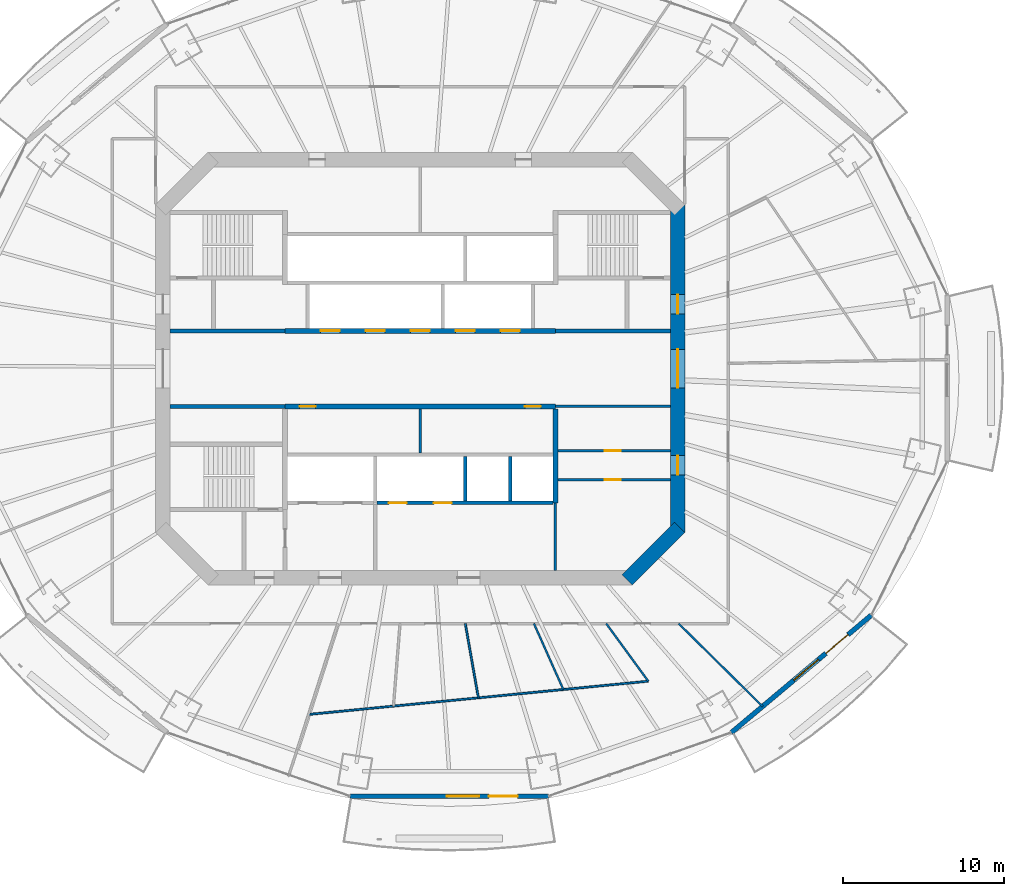
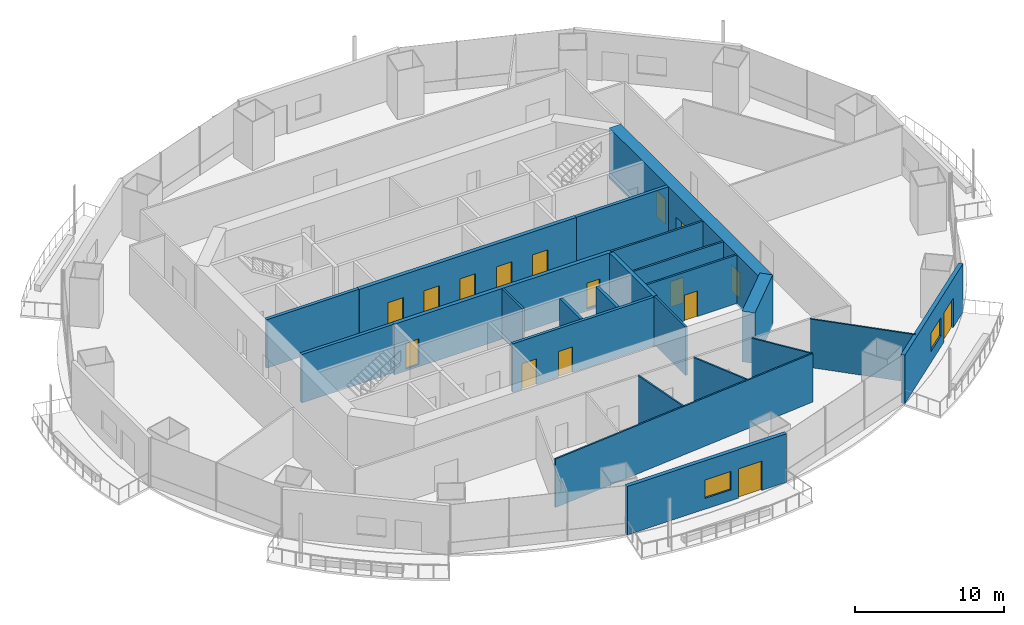
# One storey, part 13 of 21: 23 walls, 16 doors, 2 windows, 18 openings.
"""IFC4 building model written with IfcOpenShell, lengths in metres."""

from ifc_helpers import new_model, si_unit, direction, frame, frame_2d, origin, place, context, subcontext, project, spatial, rectangle, extrude, material, layer, layer_set, type_object, element, fill, save


model = new_model("IFC4")

# Units and contexts
model_context = context("Model", 3, precision=1e-05, world=origin(), true_north=direction((0.0, 1.0)))
body_context = subcontext(model_context, "Body", "Model", "MODEL_VIEW")
ifc_project = project(units=[si_unit("LENGTHUNIT", "METRE"), si_unit("AREAUNIT", "SQUARE_METRE"), si_unit("VOLUMEUNIT", "CUBIC_METRE"), si_unit("PLANEANGLEUNIT", "RADIAN"), si_unit("MASSUNIT", "GRAM", prefix="KILO")], contexts=[model_context])

# Site, building, storey
site_placement = place(None, origin())
site = spatial("IfcSite", under=ifc_project, at=site_placement, CompositionType="ELEMENT")
building_placement = place(site_placement, origin())
building = spatial("IfcBuilding", under=site, at=building_placement, Name="Marenthal Gate Tower", CompositionType="ELEMENT")
storey_placement = place(building_placement, frame((0.0, 0.0, 198.39990234375)))
storey = spatial("IfcBuildingStorey", under=building, at=storey_placement, Name="L43", CompositionType="ELEMENT", Elevation=198.39990234375)

# Wall
ifc_material_1 = material(Name="Concrete 60 MPa", Category="concrete")
ifc_layer_1 = layer(ifc_material_1, 0.89990234375)
ifc_layer_set_1 = layer_set([ifc_layer_1], Name="Core shear wall 900")
wall_type_1 = type_object("IfcWallType", Name="Core shear wall 900", PredefinedType="SHEAR", material=ifc_layer_set_1)
wall_1_placement = place(storey_placement, frame((12.8681640625, -13.1318359375, -0.179931640625), z_axis=(0.0, 0.0, 1.0), x_axis=(0.707106781187, 0.707106781187, 0.0)))
element("IfcWall", 1, at=wall_1_placement, inside=storey, type_object=wall_type_1, Name="Core wall 01", PredefinedType="SHEAR", context=body_context, shape_type="SweptSolid", body=[
    extrude(rectangle(XDim=4.615478515625, YDim=0.89990234375, at=frame_2d((2.3076171875, 0.0))), origin(), (0.0, 0.0, 1.0), 4.150146484375),
])

# Wall, openings, doors
wall_2_placement = place(storey_placement, frame((16.0, -10.186279296875, -0.179931640625), z_axis=(0.0, 0.0, 1.0), x_axis=(0.0, 1.0, 0.0)))
wall_2 = element("IfcWall", 2, at=wall_2_placement, inside=storey, type_object=wall_type_1, Name="Core wall 02", PredefinedType="SHEAR", context=body_context, shape_type="SweptSolid", body=[
    extrude(rectangle(XDim=20.37255859375, YDim=0.89990234375, at=frame_2d((10.186279296875, 0.0))), origin(), (0.0, 0.0, 1.0), 4.150146484375),
])
opening_1_placement = place(wall_2_placement, frame((8.986328125, 0.0, 0.179931640625)))
opening_1 = element("IfcOpeningElement", 3, at=opening_1_placement, cuts=wall_2, Name="Opening D003.02", PredefinedType="OPENING", context=body_context, shape_type="SweptSolid", body=[
    extrude(rectangle(XDim=2.39990234375, YDim=2.10009765625, at=frame_2d((1.199951171875, 1.050048828125))), frame((0.0, 0.4599609375, 0.0), z_axis=(0.0, -1.0, 0.0), x_axis=(1.0, 0.0, 0.0)), (0.0, 0.0, 1.0), 0.919921875),
])
opening_2_placement = place(wall_2_placement, frame((13.58642578125, 0.0, 0.179931640625)))
opening_2 = element("IfcOpeningElement", 4, at=opening_2_placement, cuts=wall_2, Name="Opening D001.05", PredefinedType="OPENING", context=body_context, shape_type="SweptSolid", body=[
    extrude(rectangle(XDim=1.199951171875, YDim=2.10009765625, at=frame_2d((0.60009765625, 1.050048828125))), frame((0.0, 0.4599609375, 0.0), z_axis=(0.0, -1.0, 0.0), x_axis=(1.0, 0.0, 0.0)), (0.0, 0.0, 1.0), 0.919921875),
])
opening_3_placement = place(wall_2_placement, frame((3.58642578125, 0.0, 0.179931640625)))
opening_3 = element("IfcOpeningElement", 5, at=opening_3_placement, cuts=wall_2, Name="Opening D006.01", PredefinedType="OPENING", context=body_context, shape_type="SweptSolid", body=[
    extrude(rectangle(XDim=1.199951171875, YDim=2.10009765625, at=frame_2d((0.60009765625, 1.050048828125))), frame((0.0, 0.4599609375, 0.0), z_axis=(0.0, -1.0, 0.0), x_axis=(1.0, 0.0, 0.0)), (0.0, 0.0, 1.0), 0.919921875),
])
ifc_material_2 = material(Name="Steel fire door", Category="steel")
door_type_1 = type_object("IfcDoorType", Name="Double fire door FD 45 2400 x 2100", OperationType="DOUBLE_DOOR_SINGLE_SWING", PredefinedType="DOOR", material=ifc_material_2)
door_1_placement = place(opening_1_placement, origin())
door_1 = element("IfcDoor", 6, at=door_1_placement, inside=storey, type_object=door_type_1, Name="Door D003.02", OperationType="DOUBLE_DOOR_SINGLE_SWING", OverallHeight=2.10009765625, OverallWidth=2.39990234375, PredefinedType="DOOR", context=body_context, shape_type="SweptSolid", body=[
    extrude(rectangle(XDim=2.39990234375, YDim=2.10009765625, at=frame_2d((1.199951171875, 1.050048828125))), frame((0.0, 0.02490234375, 0.0), z_axis=(0.0, -1.0, 0.0), x_axis=(1.0, 0.0, 0.0)), (0.0, 0.0, 1.0), 0.050048828125),
])
fill(opening_1, door_1)
ifc_material_3 = material(Name="Steel fire door", Category="steel")
door_type_2 = type_object("IfcDoorType", Name="Fire door FD 45 1200 x 2100", OperationType="NOTDEFINED", PredefinedType="DOOR", material=ifc_material_3)
door_2_placement = place(opening_3_placement, origin())
door_2 = element("IfcDoor", 7, at=door_2_placement, inside=storey, type_object=door_type_2, Name="Door D006.01", OperationType="SINGLE_SWING_RIGHT", OverallHeight=2.10009765625, OverallWidth=1.199951171875, PredefinedType="DOOR", context=body_context, shape_type="SweptSolid", body=[
    extrude(rectangle(XDim=1.199951171875, YDim=2.10009765625, at=frame_2d((0.60009765625, 1.050048828125))), frame((0.0, 0.02490234375, 0.0), z_axis=(0.0, -1.0, 0.0), x_axis=(1.0, 0.0, 0.0)), (0.0, 0.0, 1.0), 0.050048828125),
])
fill(opening_3, door_2)
ifc_material_4 = material(Name="Steel fire door", Category="steel")
door_type_3 = type_object("IfcDoorType", Name="Fire door FD 90 1200 x 2100", OperationType="NOTDEFINED", PredefinedType="DOOR", material=ifc_material_4)
door_3_placement = place(opening_2_placement, origin())
door_3 = element("IfcDoor", 8, at=door_3_placement, inside=storey, type_object=door_type_3, Name="Door D001.05", OperationType="SINGLE_SWING_RIGHT", OverallHeight=2.10009765625, OverallWidth=1.199951171875, PredefinedType="DOOR", context=body_context, shape_type="SweptSolid", body=[
    extrude(rectangle(XDim=1.199951171875, YDim=2.10009765625, at=frame_2d((0.60009765625, 1.050048828125))), frame((0.0, 0.02490234375, 0.0), z_axis=(0.0, -1.0, 0.0), x_axis=(1.0, 0.0, 0.0)), (0.0, 0.0, 1.0), 0.050048828125),
])
fill(opening_2, door_3)

ifc_material_5 = material(Name="Concrete 50 MPa", Category="concrete")
ifc_layer_2 = layer(ifc_material_5, 0.300048828125)
ifc_layer_set_2 = layer_set([ifc_layer_2], Name="Hoistway shear wall 300")
wall_type_2 = type_object("IfcWallType", Name="Hoistway shear wall 300", PredefinedType="SHEAR", material=ifc_layer_set_2)
wall_3_placement = place(storey_placement, frame((-8.39990234375, -2.35009765625, -0.179931640625), z_axis=(0.0, 0.0, 1.0), x_axis=(1.0, 0.0, 0.0)))
wall_3 = element("IfcWall", 9, at=wall_3_placement, inside=storey, type_object=wall_type_2, Name="Hoistway wall 17", PredefinedType="SHEAR", context=body_context, shape_type="SweptSolid", body=[
    extrude(rectangle(XDim=16.7998046875, YDim=0.300048828125, at=frame_2d((8.39990234375, 0.0))), origin(), (0.0, 0.0, 1.0), 4.150146484375),
])
opening_4_placement = place(wall_3_placement, frame((0.89990234375, 0.0, 0.179931640625)))
opening_4 = element("IfcOpeningElement", 10, at=opening_4_placement, cuts=wall_3, Name="Opening D005.01", PredefinedType="OPENING", context=body_context, shape_type="SweptSolid", body=[
    extrude(rectangle(XDim=1.0, YDim=2.10009765625, at=frame_2d((0.5, 1.050048828125))), frame((0.0, 0.16015625, 0.0), z_axis=(0.0, -1.0, 0.0), x_axis=(1.0, 0.0, 0.0)), (0.0, 0.0, 1.0), 0.320068359375),
])
opening_5_placement = place(wall_3_placement, frame((14.89990234375, 0.0, 0.179931640625)))
opening_5 = element("IfcOpeningElement", 11, at=opening_5_placement, cuts=wall_3, Name="Opening D005.02", PredefinedType="OPENING", context=body_context, shape_type="SweptSolid", body=[
    extrude(rectangle(XDim=1.0, YDim=2.10009765625, at=frame_2d((0.5, 1.050048828125))), frame((0.0, 0.16015625, 0.0), z_axis=(0.0, -1.0, 0.0), x_axis=(1.0, 0.0, 0.0)), (0.0, 0.0, 1.0), 0.320068359375),
])
ifc_material_6 = material(Name="Steel fire door", Category="steel")
door_type_4 = type_object("IfcDoorType", Name="Fire door FD 45 1000 x 2100", OperationType="NOTDEFINED", PredefinedType="DOOR", material=ifc_material_6)
door_4_placement = place(opening_4_placement, frame((1.0, 0.0, 0.0), z_axis=(0.0, 0.0, 1.0), x_axis=(-1.0, 0.0, 0.0)))
door_4 = element("IfcDoor", 12, at=door_4_placement, inside=storey, type_object=door_type_4, Name="Door D005.01", OperationType="SINGLE_SWING_LEFT", OverallHeight=2.10009765625, OverallWidth=1.0, PredefinedType="DOOR", context=body_context, shape_type="SweptSolid", body=[
    extrude(rectangle(XDim=1.0, YDim=2.10009765625, at=frame_2d((0.5, 1.050048828125))), frame((0.0, 0.02490234375, 0.0), z_axis=(0.0, -1.0, 0.0), x_axis=(1.0, 0.0, 0.0)), (0.0, 0.0, 1.0), 0.050048828125),
])
fill(opening_4, door_4)
door_5_placement = place(opening_5_placement, frame((1.0, 0.0, 0.0), z_axis=(0.0, 0.0, 1.0), x_axis=(-1.0, 0.0, 0.0)))
door_5 = element("IfcDoor", 13, at=door_5_placement, inside=storey, type_object=door_type_4, Name="Door D005.02", OperationType="SINGLE_SWING_LEFT", OverallHeight=2.10009765625, OverallWidth=1.0, PredefinedType="DOOR", context=body_context, shape_type="SweptSolid", body=[
    extrude(rectangle(XDim=1.0, YDim=2.10009765625, at=frame_2d((0.5, 1.050048828125))), frame((0.0, 0.02490234375, 0.0), z_axis=(0.0, -1.0, 0.0), x_axis=(1.0, 0.0, 0.0)), (0.0, 0.0, 1.0), 0.050048828125),
])
fill(opening_5, door_5)

wall_4_placement = place(storey_placement, frame((-8.39990234375, 2.35009765625, -0.179931640625), z_axis=(0.0, 0.0, 1.0), x_axis=(1.0, 0.0, 0.0)))
wall_4 = element("IfcWall", 14, at=wall_4_placement, inside=storey, type_object=wall_type_2, Name="Hoistway wall 20", PredefinedType="SHEAR", context=body_context, shape_type="SweptSolid", body=[
    extrude(rectangle(XDim=16.7998046875, YDim=0.300048828125, at=frame_2d((8.39990234375, 0.0))), origin(), (0.0, 0.0, 1.0), 4.150146484375),
])
opening_6_placement = place(wall_4_placement, frame((2.199951171875, 0.0, 0.179931640625)))
opening_6 = element("IfcOpeningElement", 15, at=opening_6_placement, cuts=wall_4, Name="Opening LD-MP1", PredefinedType="OPENING", context=body_context, shape_type="SweptSolid", body=[
    extrude(rectangle(XDim=1.199951171875, YDim=2.10009765625, at=frame_2d((0.60009765625, 1.050048828125))), frame((0.0, 0.16015625, 0.0), z_axis=(0.0, -1.0, 0.0), x_axis=(1.0, 0.0, 0.0)), (0.0, 0.0, 1.0), 0.320068359375),
])
opening_7_placement = place(wall_4_placement, frame((5.0, 0.0, 0.179931640625)))
opening_7 = element("IfcOpeningElement", 16, at=opening_7_placement, cuts=wall_4, Name="Opening LD-MP2", PredefinedType="OPENING", context=body_context, shape_type="SweptSolid", body=[
    extrude(rectangle(XDim=1.199951171875, YDim=2.10009765625, at=frame_2d((0.60009765625, 1.050048828125))), frame((0.0, 0.16015625, 0.0), z_axis=(0.0, -1.0, 0.0), x_axis=(1.0, 0.0, 0.0)), (0.0, 0.0, 1.0), 0.320068359375),
])
opening_8_placement = place(wall_4_placement, frame((7.800048828125, 0.0, 0.179931640625)))
opening_8 = element("IfcOpeningElement", 17, at=opening_8_placement, cuts=wall_4, Name="Opening LD-MP3", PredefinedType="OPENING", context=body_context, shape_type="SweptSolid", body=[
    extrude(rectangle(XDim=1.199951171875, YDim=2.10009765625, at=frame_2d((0.60009765625, 1.050048828125))), frame((0.0, 0.16015625, 0.0), z_axis=(0.0, -1.0, 0.0), x_axis=(1.0, 0.0, 0.0)), (0.0, 0.0, 1.0), 0.320068359375),
])
opening_9_placement = place(wall_4_placement, frame((10.60009765625, 0.0, 0.179931640625)))
opening_9 = element("IfcOpeningElement", 18, at=opening_9_placement, cuts=wall_4, Name="Opening LD-MP4", PredefinedType="OPENING", context=body_context, shape_type="SweptSolid", body=[
    extrude(rectangle(XDim=1.199951171875, YDim=2.10009765625, at=frame_2d((0.60009765625, 1.050048828125))), frame((0.0, 0.16015625, 0.0), z_axis=(0.0, -1.0, 0.0), x_axis=(1.0, 0.0, 0.0)), (0.0, 0.0, 1.0), 0.320068359375),
])
opening_10_placement = place(wall_4_placement, frame((13.39990234375, 0.0, 0.179931640625)))
opening_10 = element("IfcOpeningElement", 19, at=opening_10_placement, cuts=wall_4, Name="Opening LD-MP5", PredefinedType="OPENING", context=body_context, shape_type="SweptSolid", body=[
    extrude(rectangle(XDim=1.199951171875, YDim=2.10009765625, at=frame_2d((0.60009765625, 1.050048828125))), frame((0.0, 0.16015625, 0.0), z_axis=(0.0, -1.0, 0.0), x_axis=(1.0, 0.0, 0.0)), (0.0, 0.0, 1.0), 0.320068359375),
])
ifc_material_7 = material(Name="Stainless steel sliding door", Category="steel")
door_type_5 = type_object("IfcDoorType", Name="Lift landing door FD 90 1200 x 2100", OperationType="DOUBLE_DOOR_SLIDING", PredefinedType="DOOR", material=ifc_material_7)
door_6_placement = place(opening_6_placement, origin())
door_6 = element("IfcDoor", 20, at=door_6_placement, inside=storey, type_object=door_type_5, Name="Lift landing door MP1", OperationType="DOUBLE_DOOR_SLIDING", OverallHeight=2.10009765625, OverallWidth=1.199951171875, PredefinedType="DOOR", context=body_context, shape_type="SweptSolid", body=[
    extrude(rectangle(XDim=1.199951171875, YDim=2.10009765625, at=frame_2d((0.60009765625, 1.050048828125))), frame((0.0, 0.02490234375, 0.0), z_axis=(0.0, -1.0, 0.0), x_axis=(1.0, 0.0, 0.0)), (0.0, 0.0, 1.0), 0.050048828125),
])
fill(opening_6, door_6)
door_7_placement = place(opening_7_placement, origin())
door_7 = element("IfcDoor", 21, at=door_7_placement, inside=storey, type_object=door_type_5, Name="Lift landing door MP2", OperationType="DOUBLE_DOOR_SLIDING", OverallHeight=2.10009765625, OverallWidth=1.199951171875, PredefinedType="DOOR", context=body_context, shape_type="SweptSolid", body=[
    extrude(rectangle(XDim=1.199951171875, YDim=2.10009765625, at=frame_2d((0.60009765625, 1.050048828125))), frame((0.0, 0.02490234375, 0.0), z_axis=(0.0, -1.0, 0.0), x_axis=(1.0, 0.0, 0.0)), (0.0, 0.0, 1.0), 0.050048828125),
])
fill(opening_7, door_7)
door_8_placement = place(opening_8_placement, origin())
door_8 = element("IfcDoor", 22, at=door_8_placement, inside=storey, type_object=door_type_5, Name="Lift landing door MP3", OperationType="DOUBLE_DOOR_SLIDING", OverallHeight=2.10009765625, OverallWidth=1.199951171875, PredefinedType="DOOR", context=body_context, shape_type="SweptSolid", body=[
    extrude(rectangle(XDim=1.199951171875, YDim=2.10009765625, at=frame_2d((0.60009765625, 1.050048828125))), frame((0.0, 0.02490234375, 0.0), z_axis=(0.0, -1.0, 0.0), x_axis=(1.0, 0.0, 0.0)), (0.0, 0.0, 1.0), 0.050048828125),
])
fill(opening_8, door_8)
door_9_placement = place(opening_9_placement, origin())
door_9 = element("IfcDoor", 23, at=door_9_placement, inside=storey, type_object=door_type_5, Name="Lift landing door MP4", OperationType="DOUBLE_DOOR_SLIDING", OverallHeight=2.10009765625, OverallWidth=1.199951171875, PredefinedType="DOOR", context=body_context, shape_type="SweptSolid", body=[
    extrude(rectangle(XDim=1.199951171875, YDim=2.10009765625, at=frame_2d((0.60009765625, 1.050048828125))), frame((0.0, 0.02490234375, 0.0), z_axis=(0.0, -1.0, 0.0), x_axis=(1.0, 0.0, 0.0)), (0.0, 0.0, 1.0), 0.050048828125),
])
fill(opening_9, door_9)
door_10_placement = place(opening_10_placement, origin())
door_10 = element("IfcDoor", 24, at=door_10_placement, inside=storey, type_object=door_type_5, Name="Lift landing door MP5", OperationType="DOUBLE_DOOR_SLIDING", OverallHeight=2.10009765625, OverallWidth=1.199951171875, PredefinedType="DOOR", context=body_context, shape_type="SweptSolid", body=[
    extrude(rectangle(XDim=1.199951171875, YDim=2.10009765625, at=frame_2d((0.60009765625, 1.050048828125))), frame((0.0, 0.02490234375, 0.0), z_axis=(0.0, -1.0, 0.0), x_axis=(1.0, 0.0, 0.0)), (0.0, 0.0, 1.0), 0.050048828125),
])
fill(opening_10, door_10)

# Wall
wall_5_placement = place(storey_placement, frame((8.39990234375, -8.35009765625, -0.179931640625), z_axis=(0.0, 0.0, 1.0), x_axis=(0.0, 1.0, 0.0)))
element("IfcWall", 25, at=wall_5_placement, inside=storey, type_object=wall_type_2, Name="Hoistway wall 45", PredefinedType="SHEAR", context=body_context, shape_type="SweptSolid", body=[
    extrude(rectangle(XDim=5.85009765625, YDim=0.300048828125, at=frame_2d((2.925048828125, 0.0))), origin(), (0.0, 0.0, 1.0), 4.150146484375),
])

# Wall, openings, doors
ifc_material_8 = material(Name="Concrete 40 MPa", Category="concrete")
ifc_layer_3 = layer(ifc_material_8, 0.219970703125)
ifc_layer_set_3 = layer_set([ifc_layer_3], Name="Hoistway wall 220")
wall_type_3 = type_object("IfcWallType", Name="Hoistway wall 220", PredefinedType="STANDARD", material=ifc_layer_set_3)
wall_6_placement = place(storey_placement, frame((-2.68994140625, -8.35009765625, 0.0), z_axis=(0.0, 0.0, 1.0), x_axis=(1.0, 0.0, 0.0)))
wall_6 = element("IfcWall", 26, at=wall_6_placement, inside=storey, type_object=wall_type_3, Name="Hoistway wall 11", PredefinedType="STANDARD", context=body_context, shape_type="SweptSolid", body=[
    extrude(rectangle(XDim=10.93994140625, YDim=0.219970703125, at=frame_2d((5.469970703125, 0.0))), origin(), (0.0, 0.0, 1.0), 3.97021484375),
])
opening_11_placement = place(wall_6_placement, frame((0.739990234375, 0.0, 0.0)))
opening_11 = element("IfcOpeningElement", 27, at=opening_11_placement, cuts=wall_6, Name="Opening LD-SV1", PredefinedType="OPENING", context=body_context, shape_type="SweptSolid", body=[
    extrude(rectangle(XDim=1.10009765625, YDim=2.10009765625, at=frame_2d((0.550048828125, 1.050048828125))), frame((0.0, 0.1201171875, 0.0), z_axis=(0.0, -1.0, 0.0), x_axis=(1.0, 0.0, 0.0)), (0.0, 0.0, 1.0), 0.239990234375),
])
opening_12_placement = place(wall_6_placement, frame((3.5400390625, 0.0, 0.0)))
opening_12 = element("IfcOpeningElement", 28, at=opening_12_placement, cuts=wall_6, Name="Opening LD-SV2", PredefinedType="OPENING", context=body_context, shape_type="SweptSolid", body=[
    extrude(rectangle(XDim=1.10009765625, YDim=2.10009765625, at=frame_2d((0.550048828125, 1.050048828125))), frame((0.0, 0.1201171875, 0.0), z_axis=(0.0, -1.0, 0.0), x_axis=(1.0, 0.0, 0.0)), (0.0, 0.0, 1.0), 0.239990234375),
])
ifc_material_9 = material(Name="Stainless steel sliding door", Category="steel")
door_type_6 = type_object("IfcDoorType", Name="Lift landing door FD 90 1100 x 2100", OperationType="DOUBLE_DOOR_SLIDING", PredefinedType="DOOR", material=ifc_material_9)
door_11_placement = place(opening_11_placement, origin())
door_11 = element("IfcDoor", 29, at=door_11_placement, inside=storey, type_object=door_type_6, Name="Lift landing door SV1", OperationType="DOUBLE_DOOR_SLIDING", OverallHeight=2.10009765625, OverallWidth=1.10009765625, PredefinedType="DOOR", context=body_context, shape_type="SweptSolid", body=[
    extrude(rectangle(XDim=1.10009765625, YDim=2.10009765625, at=frame_2d((0.550048828125, 1.050048828125))), frame((0.0, 0.02490234375, 0.0), z_axis=(0.0, -1.0, 0.0), x_axis=(1.0, 0.0, 0.0)), (0.0, 0.0, 1.0), 0.050048828125),
])
fill(opening_11, door_11)
door_12_placement = place(opening_12_placement, origin())
door_12 = element("IfcDoor", 30, at=door_12_placement, inside=storey, type_object=door_type_6, Name="Lift landing door SV2", OperationType="DOUBLE_DOOR_SLIDING", OverallHeight=2.10009765625, OverallWidth=1.10009765625, PredefinedType="DOOR", context=body_context, shape_type="SweptSolid", body=[
    extrude(rectangle(XDim=1.10009765625, YDim=2.10009765625, at=frame_2d((0.550048828125, 1.050048828125))), frame((0.0, 0.02490234375, 0.0), z_axis=(0.0, -1.0, 0.0), x_axis=(1.0, 0.0, 0.0)), (0.0, 0.0, 1.0), 0.050048828125),
])
fill(opening_12, door_12)

# Walls
for number, where, z_axis, x_axis, name in (
    (31, (2.800048828125, -8.239990234375, 0.0), (0.0, 0.0, 1.0), (0.0, 1.0, 0.0), "Hoistway wall 40"),
    (32, (5.60009765625, -8.239990234375, 0.0), (0.0, 0.0, 1.0), (0.0, 1.0, 0.0), "Hoistway wall 42"),
):
    element("IfcWall", number, at=place(storey_placement, frame(where, z_axis=z_axis, x_axis=x_axis)), inside=storey, type_object=wall_type_3, Name=name, PredefinedType="STANDARD", context=body_context, shape_type="SweptSolid", body=[
        extrude(rectangle(XDim=2.780029296875, YDim=0.219970703125, at=frame_2d((1.39013671875, 0.0))), origin(), (0.0, 0.0, 1.0), 3.97021484375),
    ])
ifc_material_10 = material(Name="Gypsum board on steel studs", Category="steel")
ifc_layer_4 = layer(ifc_material_10, 0.1201171875)
ifc_layer_set_4 = layer_set([ifc_layer_4], Name="Partition 120")
wall_type_4 = type_object("IfcWallType", Name="Partition 120", PredefinedType="PARTITIONING", material=ifc_layer_set_4)
wall_7_placement = place(storey_placement, frame((-6.946044921875, -21.498291015625, 0.0), z_axis=(0.0, 0.0, 1.0), x_axis=(0.995245004441, 0.097403188531, 0.0)))
element("IfcWall", 33, at=wall_7_placement, inside=storey, type_object=wall_type_4, Name="Partition wall 54", PredefinedType="PARTITIONING", context=body_context, shape_type="SweptSolid", body=[
    extrude(rectangle(XDim=21.222412109375, YDim=0.1201171875, at=frame_2d((10.611328125, 0.0))), origin(), (0.0, 0.0, 1.0), 3.97021484375),
])
wall_8_placement = place(storey_placement, frame((3.61474609375, -20.464599609375, 0.0), z_axis=(0.0, 0.0, 1.0), x_axis=(-0.173913137247, 0.984760996736, 0.0)))
element("IfcWall", 34, at=wall_8_placement, inside=storey, type_object=wall_type_4, Name="Partition wall 57", PredefinedType="PARTITIONING", context=body_context, shape_type="SweptSolid", body=[
    extrude(rectangle(XDim=4.685791015625, YDim=0.1201171875, at=frame_2d((2.3427734375, 0.0))), origin(), (0.0, 0.0, 1.0), 3.97021484375),
])
wall_9_placement = place(storey_placement, frame((8.89501953125, -19.947998046875, 0.0), z_axis=(0.0, 0.0, 1.0), x_axis=(-0.407228685497, 0.913326227428, 0.0)))
element("IfcWall", 35, at=wall_9_placement, inside=storey, type_object=wall_type_4, Name="Partition wall 58", PredefinedType="PARTITIONING", context=body_context, shape_type="SweptSolid", body=[
    extrude(rectangle(XDim=4.48681640625, YDim=0.1201171875, at=frame_2d((2.243408203125, 0.0))), origin(), (0.0, 0.0, 1.0), 3.97021484375),
])
wall_10_placement = place(storey_placement, frame((14.175537109375, -19.43115234375, 0.0), z_axis=(0.0, 0.0, 1.0), x_axis=(-0.589372905267, 0.807861113396, 0.0)))
element("IfcWall", 36, at=wall_10_placement, inside=storey, type_object=wall_type_4, Name="Partition wall 60", PredefinedType="PARTITIONING", context=body_context, shape_type="SweptSolid", body=[
    extrude(rectangle(XDim=4.432861328125, YDim=0.1201171875, at=frame_2d((2.21630859375, 0.0))), origin(), (0.0, 0.0, 1.0), 3.97021484375),
])
wall_11_placement = place(storey_placement, frame((16.063720703125, -15.85009765625, 0.0), z_axis=(0.0, 0.0, 1.0), x_axis=(0.71183576694, -0.702345955284, 0.0)))
element("IfcWall", 37, at=wall_11_placement, inside=storey, type_object=wall_type_4, Name="Partition wall 61", PredefinedType="PARTITIONING", context=body_context, shape_type="SweptSolid", body=[
    extrude(rectangle(XDim=7.33203125, YDim=0.1201171875, at=frame_2d((3.666015625, 0.0))), origin(), (0.0, 0.0, 1.0), 3.97021484375),
])

# Wall, opening, door
ifc_material_11 = material(Name="Gypsum board on steel studs", Category="steel")
ifc_layer_5 = layer(ifc_material_11, 0.14990234375)
ifc_layer_set_5 = layer_set([ifc_layer_5], Name="Partition 150")
wall_type_5 = type_object("IfcWallType", Name="Partition 150", PredefinedType="PARTITIONING", material=ifc_layer_set_5)
wall_12_placement = place(storey_placement, frame((8.550048828125, -6.89990234375, 0.0), z_axis=(0.0, 0.0, 1.0), x_axis=(1.0, 0.0, 0.0)))
wall_12 = element("IfcWall", 38, at=wall_12_placement, inside=storey, type_object=wall_type_5, Name="Partition wall 12", PredefinedType="PARTITIONING", context=body_context, shape_type="SweptSolid", body=[
    extrude(rectangle(XDim=7.0, YDim=0.14990234375, at=frame_2d((3.5, 0.0))), origin(), (0.0, 0.0, 1.0), 3.97021484375),
])
opening_13_placement = place(wall_12_placement, frame((2.925048828125, 0.0, 0.0)))
opening_13 = element("IfcOpeningElement", 39, at=opening_13_placement, cuts=wall_12, Name="Opening D005.06", PredefinedType="OPENING", context=body_context, shape_type="SweptSolid", body=[
    extrude(rectangle(XDim=1.0, YDim=2.10009765625, at=frame_2d((0.5, 1.050048828125))), frame((0.0, 0.0849609375, 0.0), z_axis=(0.0, -1.0, 0.0), x_axis=(1.0, 0.0, 0.0)), (0.0, 0.0, 1.0), 0.169921875),
])
door_13_placement = place(opening_13_placement, frame((1.0, 0.0, 0.0), z_axis=(0.0, 0.0, 1.0), x_axis=(-1.0, 0.0, 0.0)))
door_13 = element("IfcDoor", 40, at=door_13_placement, inside=storey, type_object=door_type_4, Name="Door D005.06", OperationType="SINGLE_SWING_LEFT", OverallHeight=2.10009765625, OverallWidth=1.0, PredefinedType="DOOR", context=body_context, shape_type="SweptSolid", body=[
    extrude(rectangle(XDim=1.0, YDim=2.10009765625, at=frame_2d((0.5, 1.050048828125))), frame((0.0, 0.02490234375, 0.0), z_axis=(0.0, -1.0, 0.0), x_axis=(1.0, 0.0, 0.0)), (0.0, 0.0, 1.0), 0.050048828125),
])
fill(opening_13, door_13)

wall_13_placement = place(storey_placement, frame((8.550048828125, -5.10009765625, 0.0), z_axis=(0.0, 0.0, 1.0), x_axis=(1.0, 0.0, 0.0)))
wall_13 = element("IfcWall", 41, at=wall_13_placement, inside=storey, type_object=wall_type_5, Name="Partition wall 14", PredefinedType="PARTITIONING", context=body_context, shape_type="SweptSolid", body=[
    extrude(rectangle(XDim=7.0, YDim=0.14990234375, at=frame_2d((3.5, 0.0))), origin(), (0.0, 0.0, 1.0), 3.97021484375),
])
opening_14_placement = place(wall_13_placement, frame((2.925048828125, 0.0, 0.0)))
opening_14 = element("IfcOpeningElement", 42, at=opening_14_placement, cuts=wall_13, Name="Opening D005.05", PredefinedType="OPENING", context=body_context, shape_type="SweptSolid", body=[
    extrude(rectangle(XDim=1.0, YDim=2.10009765625, at=frame_2d((0.5, 1.050048828125))), frame((0.0, 0.0849609375, 0.0), z_axis=(0.0, -1.0, 0.0), x_axis=(1.0, 0.0, 0.0)), (0.0, 0.0, 1.0), 0.169921875),
])
door_14_placement = place(opening_14_placement, origin())
door_14 = element("IfcDoor", 43, at=door_14_placement, inside=storey, type_object=door_type_4, Name="Door D005.05", OperationType="SINGLE_SWING_RIGHT", OverallHeight=2.10009765625, OverallWidth=1.0, PredefinedType="DOOR", context=body_context, shape_type="SweptSolid", body=[
    extrude(rectangle(XDim=1.0, YDim=2.10009765625, at=frame_2d((0.5, 1.050048828125))), frame((0.0, 0.02490234375, 0.0), z_axis=(0.0, -1.0, 0.0), x_axis=(1.0, 0.0, 0.0)), (0.0, 0.0, 1.0), 0.050048828125),
])
fill(opening_14, door_14)

# Walls
wall_14_placement = place(storey_placement, frame((8.39990234375, -2.35009765625, 0.0), z_axis=(0.0, 0.0, 1.0), x_axis=(1.0, 0.0, 0.0)))
element("IfcWall", 44, at=wall_14_placement, inside=storey, type_object=wall_type_5, Name="Partition wall 18", PredefinedType="PARTITIONING", context=body_context, shape_type="SweptSolid", body=[
    extrude(rectangle(XDim=7.150146484375, YDim=0.14990234375, at=frame_2d((3.5751953125, 0.0))), origin(), (0.0, 0.0, 1.0), 3.97021484375),
])
wall_15_placement = place(storey_placement, frame((0.0, -5.239990234375, 0.0), z_axis=(0.0, 0.0, 1.0), x_axis=(0.0, 1.0, 0.0)))
element("IfcWall", 45, at=wall_15_placement, inside=storey, type_object=wall_type_5, Name="Partition wall 37", PredefinedType="PARTITIONING", context=body_context, shape_type="SweptSolid", body=[
    extrude(rectangle(XDim=2.739990234375, YDim=0.14990234375, at=frame_2d((1.3701171875, 0.0))), origin(), (0.0, 0.0, 1.0), 3.97021484375),
])
wall_16_placement = place(storey_placement, frame((8.39990234375, -12.550048828125, 0.0), z_axis=(0.0, 0.0, 1.0), x_axis=(0.0, 1.0, 0.0)))
element("IfcWall", 46, at=wall_16_placement, inside=storey, type_object=wall_type_5, Name="Partition wall 44", PredefinedType="PARTITIONING", context=body_context, shape_type="SweptSolid", body=[
    extrude(rectangle(XDim=4.199951171875, YDim=0.14990234375, at=frame_2d((2.10009765625, 0.0))), origin(), (0.0, 0.0, 1.0), 3.97021484375),
])
ifc_material_12 = material(Name="Concrete 40 MPa", Category="concrete")
ifc_layer_6 = layer(ifc_material_12, 0.25)
ifc_layer_set_6 = layer_set([ifc_layer_6], Name="Stair enclosure wall 250")
wall_type_6 = type_object("IfcWallType", Name="Stair enclosure wall 250", PredefinedType="STANDARD", material=ifc_layer_set_6)
for number, where, z_axis, x_axis, name in (
    (47, (-15.550048828125, -2.35009765625, 0.0), (0.0, 0.0, 1.0), (1.0, 0.0, 0.0), "Stair wall 16"),
    (48, (-15.550048828125, 2.35009765625, 0.0), (0.0, 0.0, 1.0), (1.0, 0.0, 0.0), "Stair wall 19"),
    (49, (8.39990234375, 2.35009765625, 0.0), (0.0, 0.0, 1.0), (1.0, 0.0, 0.0), "Stair wall 21"),
):
    element("IfcWall", number, at=place(storey_placement, frame(where, z_axis=z_axis, x_axis=x_axis)), inside=storey, type_object=wall_type_6, Name=name, PredefinedType="STANDARD", context=body_context, shape_type="SweptSolid", body=[
        extrude(rectangle(XDim=7.150146484375, YDim=0.25, at=frame_2d((3.5751953125, 0.0))), origin(), (0.0, 0.0, 1.0), 3.97021484375),
    ])

# Wall, openings, door, window
ifc_material_13 = material(Name="Terracotta cladding on insulated concrete-block backing", Category="masonry")
ifc_layer_7 = layer(ifc_material_13, 0.300048828125)
ifc_layer_set_7 = layer_set([ifc_layer_7], Name="Terracotta facade wall 300")
wall_type_7 = type_object("IfcWallType", Name="Terracotta facade wall 300", PredefinedType="SOLIDWALL", material=ifc_layer_set_7)
wall_17_placement = place(storey_placement, frame((-4.359375, -26.5859375, 0.0), z_axis=(0.0, 0.0, 1.0), x_axis=(1.0, 0.0, 0.0)))
wall_17 = element("IfcWall", 50, at=wall_17_placement, inside=storey, type_object=wall_type_7, Name="Terracotta facade wall L43 bay 12", PredefinedType="SOLIDWALL", context=body_context, shape_type="SweptSolid", body=[
    extrude(rectangle(XDim=12.31884765625, YDim=0.300048828125, at=frame_2d((6.159423828125, 0.0))), origin(), (0.0, 0.0, 1.0), 3.97021484375),
])
opening_15_placement = place(wall_17_placement, frame((8.618896484375, 0.0, 0.0)))
opening_15 = element("IfcOpeningElement", 51, at=opening_15_placement, cuts=wall_17, Name="Opening BD-L43-12", PredefinedType="OPENING", context=body_context, shape_type="SweptSolid", body=[
    extrude(rectangle(XDim=1.800048828125, YDim=2.39990234375, at=frame_2d((0.89990234375, 1.199951171875))), frame((0.0, 0.16015625, 0.0), z_axis=(0.0, -1.0, 0.0), x_axis=(1.0, 0.0, 0.0)), (0.0, 0.0, 1.0), 0.320068359375),
])
opening_16_placement = place(wall_17_placement, frame((6.018798828125, 0.0, 0.89990234375)))
opening_16 = element("IfcOpeningElement", 52, at=opening_16_placement, cuts=wall_17, Name="Opening WN2-L43-12", PredefinedType="OPENING", context=body_context, shape_type="SweptSolid", body=[
    extrude(rectangle(XDim=2.0, YDim=1.5, at=frame_2d((1.0, 0.75))), frame((0.0, 0.16015625, 0.0), z_axis=(0.0, -1.0, 0.0), x_axis=(1.0, 0.0, 0.0)), (0.0, 0.0, 1.0), 0.320068359375),
])
ifc_material_14 = material(Name="Aluminium and glass", Category="aluminium")
door_type_7 = type_object("IfcDoorType", Name="Balcony door 1800x2400", OperationType="DOUBLE_DOOR_SINGLE_SWING", PredefinedType="DOOR", material=ifc_material_14)
door_15_placement = place(opening_15_placement, origin())
door_15 = element("IfcDoor", 53, at=door_15_placement, inside=storey, type_object=door_type_7, Name="Balcony door L43 bay 12", OperationType="SINGLE_SWING_LEFT", OverallHeight=2.39990234375, OverallWidth=1.800048828125, PredefinedType="DOOR", context=body_context, shape_type="SweptSolid", body=[
    extrude(rectangle(XDim=1.800048828125, YDim=2.39990234375, at=frame_2d((0.89990234375, 1.199951171875))), frame((0.0, 0.02490234375, 0.0), z_axis=(0.0, -1.0, 0.0), x_axis=(1.0, 0.0, 0.0)), (0.0, 0.0, 1.0), 0.050048828125),
])
fill(opening_15, door_15)
ifc_material_15 = material(Name="Aluminium and glass", Category="aluminium")
window_type = type_object("IfcWindowType", Name="Window 2000x1500", PartitioningType="DOUBLE_PANEL_VERTICAL", PredefinedType="WINDOW", material=ifc_material_15)
window_1_placement = place(opening_16_placement, origin())
window_1 = element("IfcWindow", 54, at=window_1_placement, inside=storey, type_object=window_type, Name="Window L43 bay 12", OverallHeight=1.5, OverallWidth=2.0, PartitioningType="SINGLE_PANEL", PredefinedType="WINDOW", context=body_context, shape_type="SweptSolid", body=[
    extrude(rectangle(XDim=2.0, YDim=1.5, at=frame_2d((1.0, 0.75))), frame((0.0, 0.030029296875, 0.0), z_axis=(0.0, -1.0, 0.0), x_axis=(1.0, 0.0, 0.0)), (0.0, 0.0, 1.0), 0.06005859375),
])
fill(opening_16, window_1)

wall_18_placement = place(storey_placement, frame((19.340576171875, -22.6298828125, 0.0), z_axis=(0.0, 0.0, 1.0), x_axis=(0.766004647457, 0.642835033329, 0.0)))
wall_18 = element("IfcWall", 55, at=wall_18_placement, inside=storey, type_object=wall_type_7, Name="Terracotta facade wall L43 bay 14", PredefinedType="SOLIDWALL", context=body_context, shape_type="SweptSolid", body=[
    extrude(rectangle(XDim=11.37158203125, YDim=0.300048828125, at=frame_2d((5.685791015625, 0.0))), origin(), (0.0, 0.0, 1.0), 3.97021484375),
])
opening_17_placement = place(wall_18_placement, frame((7.671630859375, 0.0, 0.0)))
opening_17 = element("IfcOpeningElement", 56, at=opening_17_placement, cuts=wall_18, Name="Opening BD-L43-14", PredefinedType="OPENING", context=body_context, shape_type="SweptSolid", body=[
    extrude(rectangle(XDim=1.800048828125, YDim=2.39990234375, at=frame_2d((0.89990234375, 1.199951171875))), frame((0.0, 0.16015625, 0.0), z_axis=(0.0, -1.0, 0.0), x_axis=(1.0, 0.0, 0.0)), (0.0, 0.0, 1.0), 0.320068359375),
])
opening_18_placement = place(wall_18_placement, frame((5.071533203125, 0.0, 0.89990234375)))
opening_18 = element("IfcOpeningElement", 57, at=opening_18_placement, cuts=wall_18, Name="Opening WN2-L43-14", PredefinedType="OPENING", context=body_context, shape_type="SweptSolid", body=[
    extrude(rectangle(XDim=2.0, YDim=1.5, at=frame_2d((1.0, 0.75))), frame((0.0, 0.16015625, 0.0), z_axis=(0.0, -1.0, 0.0), x_axis=(1.0, 0.0, 0.0)), (0.0, 0.0, 1.0), 0.320068359375),
])
door_16_placement = place(opening_17_placement, origin())
door_16 = element("IfcDoor", 58, at=door_16_placement, inside=storey, type_object=door_type_7, Name="Balcony door L43 bay 14", OperationType="SINGLE_SWING_LEFT", OverallHeight=2.39990234375, OverallWidth=1.800048828125, PredefinedType="DOOR", context=body_context, shape_type="SweptSolid", body=[
    extrude(rectangle(XDim=1.800048828125, YDim=2.39990234375, at=frame_2d((0.89990234375, 1.199951171875))), frame((0.0, 0.02490234375, 0.0), z_axis=(0.0, -1.0, 0.0), x_axis=(1.0, 0.0, 0.0)), (0.0, 0.0, 1.0), 0.050048828125),
])
fill(opening_17, door_16)
window_2_placement = place(opening_18_placement, origin())
window_2 = element("IfcWindow", 59, at=window_2_placement, inside=storey, type_object=window_type, Name="Window L43 bay 14", OverallHeight=1.5, OverallWidth=2.0, PartitioningType="SINGLE_PANEL", PredefinedType="WINDOW", context=body_context, shape_type="SweptSolid", body=[
    extrude(rectangle(XDim=2.0, YDim=1.5, at=frame_2d((1.0, 0.75))), frame((0.0, 0.030029296875, 0.0), z_axis=(0.0, -1.0, 0.0), x_axis=(1.0, 0.0, 0.0)), (0.0, 0.0, 1.0), 0.06005859375),
])
fill(opening_18, window_2)

save(model, "model.ifc")
